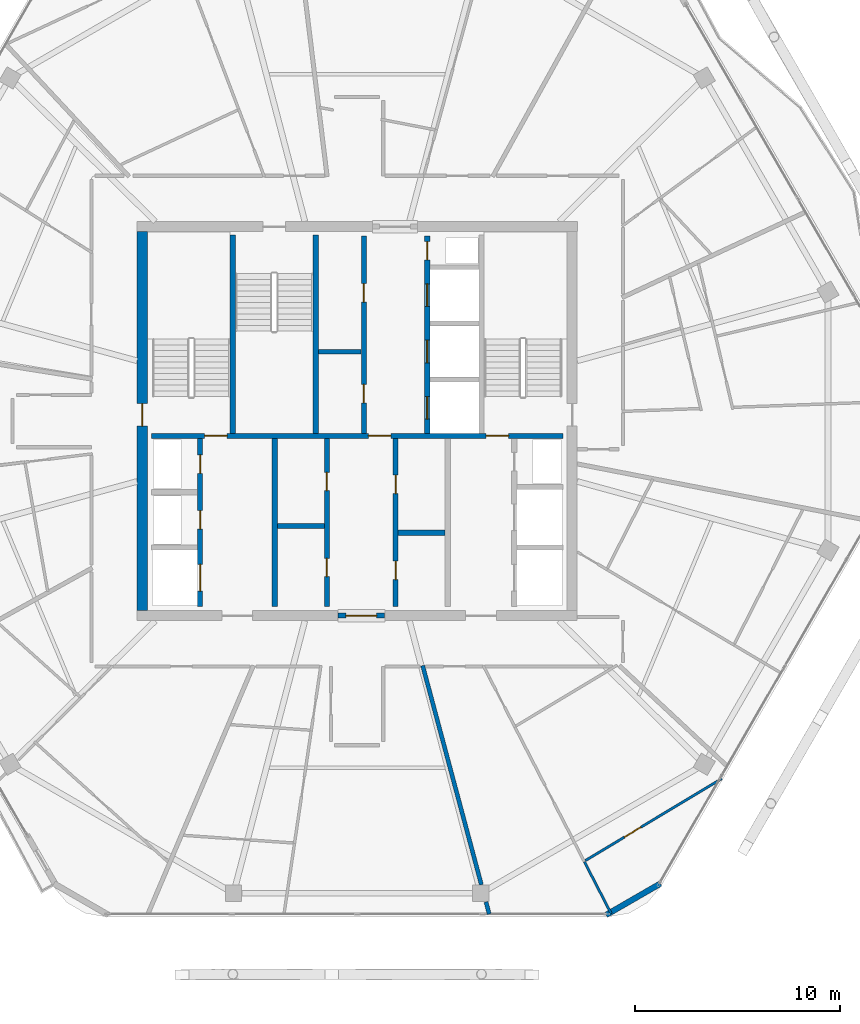
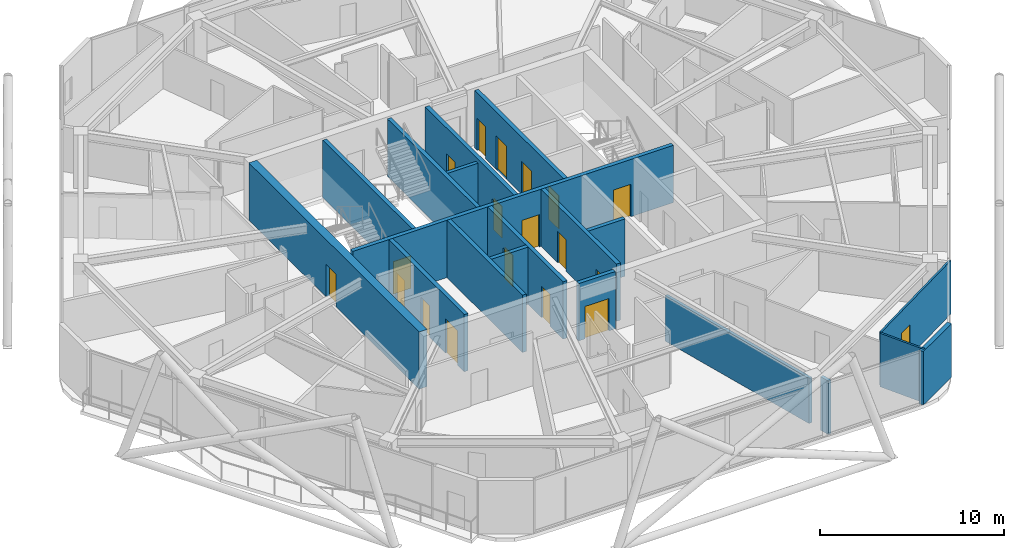
# One storey, part 17 of 23: 19 doors, 19 walls, 19 openings.
"""IFC4 building model written with IfcOpenShell, lengths in metres."""

import ifcopenshell
import ifcopenshell.guid

model = None  # the IFC model being written
_history = None  # IfcOwnerHistory: only IFC2X3 demands one
_inside = {}  # id of a spatial element -> (the spatial element, [elements in it])
_under = {}  # id of a project, library or spatial element -> (it, [spatial elements below it])
_declared = {}  # id of a project -> (the project, [libraries it declares])
_typed = {}  # id of a type object -> (the type object, [elements of that type])
_made_of = {}  # id of a material, layer set ... -> (it, [elements and type objects made of it])


def new_model(schema):
    """Start an empty IFC model of exactly this schema.

    Asked for "IFC4X3", IfcOpenShell would pick the latest addendum, in which some entities
    have other attributes; the version numbers below select the first issue.
    IFC2X3 requires an IfcOwnerHistory on every rooted entity: one is made here for all.
    """
    global model, _history
    if schema == "IFC4X3":
        model = ifcopenshell.file(schema_version=(4, 3, 0, 0))
    else:
        model = ifcopenshell.file(schema=schema)
    _inside.clear()
    _under.clear()
    _declared.clear()
    _typed.clear()
    _made_of.clear()
    _history = None
    if model.schema == "IFC2X3":
        org = make("IfcOrganization", Name="unknown")
        user = make(
            "IfcPersonAndOrganization",
            ThePerson=make("IfcPerson", FamilyName="unknown"),
            TheOrganization=org,
        )
        app = make(
            "IfcApplication",
            ApplicationDeveloper=org,
            Version="unknown",
            ApplicationFullName="unknown",
            ApplicationIdentifier="unknown",
        )
        _history = make(
            "IfcOwnerHistory",
            OwningUser=user,
            OwningApplication=app,
            ChangeAction="ADDED",
            CreationDate=0,
        )
    return model


def make(cls, **values):
    """One entity of the class cls with the attributes given. An attribute that is None is left unset."""
    return model.create_entity(
        cls, **{name: value for name, value in values.items() if value is not None}
    )


def rooted(cls, **values):
    """An entity with a GlobalId (a new one), such as an element, a storey or a relation."""
    return make(cls, GlobalId=ifcopenshell.guid.new(), OwnerHistory=_history, **values)


def si_unit(unit_type, name, prefix=None):
    """IfcSIUnit, for example si_unit("LENGTHUNIT", "METRE", prefix="MILLI")."""
    return make("IfcSIUnit", UnitType=unit_type, Prefix=prefix, Name=name)


def assignment(units):
    """IfcUnitAssignment: the units of a project."""
    return None if units is None else make("IfcUnitAssignment", Units=units)


def point(xyz):
    """IfcCartesianPoint."""
    return None if xyz is None else make("IfcCartesianPoint", Coordinates=xyz)


def direction(xyz):
    """IfcDirection."""
    return None if xyz is None else make("IfcDirection", DirectionRatios=xyz)


def frame(location, z_axis=None, x_axis=None):
    """IfcAxis2Placement3D, a coordinate frame: its origin and axes. An axis left out is left unset."""
    return make(
        "IfcAxis2Placement3D",
        Location=point(location),
        Axis=direction(z_axis),
        RefDirection=direction(x_axis),
    )


def frame_2d(location, x_axis=None):
    """IfcAxis2Placement2D, a coordinate frame in the plane: its origin and x axis."""
    return make(
        "IfcAxis2Placement2D", Location=point(location), RefDirection=direction(x_axis)
    )


def origin():
    """The frame at (0, 0, 0) with its axes left unset."""
    return frame((0.0, 0.0, 0.0))


def place(relative_to, where):
    """IfcLocalPlacement: puts the frame where relative to a parent placement (None: the world)."""
    return make(
        "IfcLocalPlacement", PlacementRelTo=relative_to, RelativePlacement=where
    )


def context(
    kind, dimensions, precision=None, world=None, true_north=None, identifier=None
):
    """IfcGeometricRepresentationContext, for example the 3D "Model" context."""
    return make(
        "IfcGeometricRepresentationContext",
        ContextIdentifier=identifier,
        ContextType=kind,
        CoordinateSpaceDimension=dimensions,
        Precision=precision,
        WorldCoordinateSystem=world,
        TrueNorth=true_north,
    )


def subcontext(parent, identifier, kind, view, scale=None):
    """IfcGeometricRepresentationSubContext, for example "Body" below "Model"."""
    return make(
        "IfcGeometricRepresentationSubContext",
        ContextIdentifier=identifier,
        ContextType=kind,
        ParentContext=parent,
        TargetScale=scale,
        TargetView=view,
    )


def project(units=None, contexts=None):
    """IfcProject with its units and contexts."""
    return rooted(
        "IfcProject",
        Name="project",
        RepresentationContexts=contexts,
        UnitsInContext=assignment(units),
    )


def spatial(cls, under=None, at=None, **own):
    """A site, building, storey or space (cls), placed at a placement, below another one or the project."""
    s = rooted(cls, ObjectPlacement=at, **own)
    if under is not None:
        _under.setdefault(under.id(), (under, []))[1].append(s)
    return s


def profile(cls, at=None, kind="AREA", **sizes):
    """A parametric profile (cls). Its sizes go by their IFC names, for example OverallWidth=200.0."""
    return make(cls, ProfileType=kind, Position=at, **sizes)


def rectangle(**sizes):
    """IfcRectangleProfileDef."""
    return profile("IfcRectangleProfileDef", **sizes)


def extrude(swept, where, along, depth):
    """IfcExtrudedAreaSolid: the profile swept, set in the frame where, extruded along a direction by depth."""
    return make(
        "IfcExtrudedAreaSolid",
        SweptArea=swept,
        Position=where,
        ExtrudedDirection=direction(along),
        Depth=depth,
    )


def shape(context_of_items, identifier, shape_type, items):
    """IfcShapeRepresentation: the items that make up one representation, for example the "Body"."""
    return make(
        "IfcShapeRepresentation",
        ContextOfItems=context_of_items,
        RepresentationIdentifier=identifier,
        RepresentationType=shape_type,
        Items=items,
    )


def material(Name=None, Category=None):
    """IfcMaterial."""
    return make("IfcMaterial", Name=Name, Category=Category)


def layer(
    of_material, thickness, ventilated=None, Name=None, Category=None, Priority=None
):
    """IfcMaterialLayer: one layer of a wall or slab, of a material (None: an air gap)."""
    return make(
        "IfcMaterialLayer",
        Material=of_material,
        LayerThickness=thickness,
        IsVentilated=ventilated,
        Name=Name,
        Category=Category,
        Priority=Priority,
    )


def layer_set(layers, Name=None):
    """IfcMaterialLayerSet."""
    return make("IfcMaterialLayerSet", MaterialLayers=layers, LayerSetName=Name)


def made_of(thing, what):
    """Note that an element or type object is made of a material, layer set ...; save() writes the relation."""
    if what is not None:
        _made_of.setdefault(what.id(), (what, []))[1].append(thing)
    return thing


def type_object(cls, material=None, **own):
    """A type object (cls), such as IfcWallType, which elements share."""
    return made_of(rooted(cls, **own), material)


def element(
    cls,
    number,
    at=None,
    inside=None,
    cuts=None,
    type_object=None,
    material=None,
    context=None,
    identifier="Body",
    shape_type=None,
    held_by="IfcProductDefinitionShape",
    body=None,
    shapes=None,
    **own,
):
    """One element of the class cls, such as IfcWall. Its Tag is "e" and its number.

    at: its placement. inside: the storey or other place that contains it. cuts: it is an
    opening in that element (IfcRelVoidsElement). A single representation is given by context,
    identifier, shape_type and body (its items); several are given by shapes. held_by: the class
    of the entity that holds the representations. save() writes the other relations.
    """
    e = rooted(cls, Tag="e%d" % number, ObjectPlacement=at, **own)
    if body is not None:
        shapes = [shape(context, identifier, shape_type, body)]
    if shapes is not None:
        e.Representation = make(held_by, Representations=shapes)
    if inside is not None:
        _inside.setdefault(inside.id(), (inside, []))[1].append(e)
    if cuts is not None:
        rooted(
            "IfcRelVoidsElement", RelatingBuildingElement=cuts, RelatedOpeningElement=e
        )
    if type_object is not None:
        _typed.setdefault(type_object.id(), (type_object, []))[1].append(e)
    return made_of(e, material)


def fill(opening, filler):
    """IfcRelFillsElement: the door or window that sits in an opening."""
    return rooted(
        "IfcRelFillsElement",
        RelatingOpeningElement=opening,
        RelatedBuildingElement=filler,
    )


def aggregate(whole, parts):
    """IfcRelAggregates: a whole, such as a stair, and the parts it consists of."""
    return rooted("IfcRelAggregates", RelatingObject=whole, RelatedObjects=parts)


def save(model, path):
    """Write the relations noted so far, then the file.

    IfcRelAggregates (storeys below a building ...), IfcRelContainedInSpatialStructure (elements
    in a storey), IfcRelDefinesByType, IfcRelAssociatesMaterial and IfcRelDeclares: one each for
    every whole, place, type object, material and project.
    """
    for whole, parts in _under.values():
        aggregate(whole, parts)
    for where, things in _inside.values():
        rooted(
            "IfcRelContainedInSpatialStructure",
            RelatedElements=things,
            RelatingStructure=where,
        )
    for kind, things in _typed.values():
        rooted("IfcRelDefinesByType", RelatedObjects=things, RelatingType=kind)
    for what, things in _made_of.values():
        rooted("IfcRelAssociatesMaterial", RelatedObjects=things, RelatingMaterial=what)
    for by, libraries in _declared.values():
        rooted("IfcRelDeclares", RelatingContext=by, RelatedDefinitions=libraries)
    model.write(path)


model = new_model("IFC4")

# Units and contexts
model_context = context("Model", 3, precision=1e-05, world=origin(), true_north=direction((0.0, 1.0)))
body_context = subcontext(model_context, "Body", "Model", "MODEL_VIEW")
ifc_project = project(units=[si_unit("LENGTHUNIT", "METRE"), si_unit("AREAUNIT", "SQUARE_METRE"), si_unit("VOLUMEUNIT", "CUBIC_METRE"), si_unit("PLANEANGLEUNIT", "RADIAN"), si_unit("MASSUNIT", "GRAM", prefix="KILO")], contexts=[model_context])

# Site, building, storey
site_placement = place(None, origin())
site = spatial("IfcSite", under=ifc_project, at=site_placement, CompositionType="ELEMENT")
building_placement = place(site_placement, origin())
building = spatial("IfcBuilding", under=site, at=building_placement, Name="Zuhravey Tower", CompositionType="ELEMENT")
storey_placement = place(building_placement, frame((0.0, 0.0, 331.0)))
storey = spatial("IfcBuildingStorey", under=building, at=storey_placement, Name="L84", CompositionType="ELEMENT", Elevation=331.0)

# Wall, opening, door
ifc_material_1 = material(Name="Concrete C50/60", Category="concrete")
ifc_layer_1 = layer(ifc_material_1, 0.5)
ifc_layer_set_1 = layer_set([ifc_layer_1], Name="Concrete C50/60")
wall_type_1 = type_object("IfcWallType", Name="Core Shear Wall 500", PredefinedType="SHEAR", material=ifc_layer_set_1)
wall_1_placement = place(storey_placement, frame((25.5, 22.75, 0.0), z_axis=(0.0, 0.0, 1.0), x_axis=(0.0, 1.0, 0.0)))
wall_1 = element("IfcWall", 1, at=wall_1_placement, inside=storey, type_object=wall_type_1, Name="L84 West Core Shear Wall CW50", PredefinedType="SHEAR", context=body_context, shape_type="SweptSolid", body=[
    extrude(rectangle(XDim=18.5, YDim=0.5, at=frame_2d((9.25, 0.0))), origin(), (0.0, 0.0, 1.0), 3.800048828125),
])
opening_1_placement = place(wall_1_placement, frame((9.0, 0.0, 0.0)))
opening_1 = element("IfcOpeningElement", 2, at=opening_1_placement, cuts=wall_1, Name="Opening STD1", PredefinedType="OPENING", context=body_context, shape_type="SweptSolid", body=[
    extrude(rectangle(XDim=1.10009765625, YDim=2.14990234375, at=frame_2d((0.550048828125, 1.074951171875))), frame((0.0, 0.261962890625, 0.0), z_axis=(0.0, -1.0, 0.0), x_axis=(1.0, 0.0, 0.0)), (0.0, 0.0, 1.0), 0.52392578125),
])
ifc_material_2 = material(Name="Galvanised fire-rated steel leaf", Category="steel")
door_type_1 = type_object("IfcDoorType", Name="Protected Stair Fire Door 1100x2150", OperationType="NOTDEFINED", PredefinedType="USERDEFINED", material=ifc_material_2)
door_1_placement = place(opening_1_placement, frame((1.10009765625, 0.0, 0.0), z_axis=(0.0, 0.0, 1.0), x_axis=(-1.0, 0.0, 0.0)))
door_1 = element("IfcDoor", 3, at=door_1_placement, inside=storey, type_object=door_type_1, Name="L84 Stair ST1 Door", ObjectType="EXITDOOR", OperationType="SINGLE_SWING_LEFT", OverallHeight=2.14990234375, OverallWidth=1.10009765625, PredefinedType="USERDEFINED", context=body_context, shape_type="SweptSolid", body=[
    extrude(rectangle(XDim=1.10009765625, YDim=2.14990234375, at=frame_2d((0.550048828125, 1.074951171875))), frame((0.0, 0.02490234375, 0.0), z_axis=(0.0, -1.0, 0.0), x_axis=(1.0, 0.0, 0.0)), (0.0, 0.0, 1.0), 0.050048828125),
])
fill(opening_1, door_1)

# Wall
ifc_material_3 = material(Name="Precast concrete C40/50", Category="concrete")
ifc_layer_2 = layer(ifc_material_3, 0.280029296875)
ifc_layer_set_2 = layer_set([ifc_layer_2], Name="Precast concrete C40/50")
wall_type_2 = type_object("IfcWallType", Name="Crown Architectural Wall 280", PredefinedType="SOLIDWALL", material=ifc_layer_set_2)
wall_2_placement = place(storey_placement, frame((50.811279296875, 9.410888671875, 0.0), z_axis=(0.0, 0.0, 1.0), x_axis=(-0.866023752521, -0.50000286006, 0.0)))
element("IfcWall", 4, at=wall_2_placement, inside=storey, type_object=wall_type_2, Name="L84 Rounded Corner Closure Wall EW28-02", PredefinedType="SOLIDWALL", context=body_context, shape_type="SweptSolid", body=[
    extrude(rectangle(XDim=3.06494140625, YDim=0.280029296875, at=frame_2d((1.532470703125, 0.0))), origin(), (0.0, 0.0, 1.0), 3.550048828125),
])

# Wall, opening, door
ifc_layer_3 = layer(ifc_material_1, 0.25)
ifc_layer_set_3 = layer_set([ifc_layer_3], Name="Concrete C50/60")
wall_type_3 = type_object("IfcWallType", Name="Firefighting Shaft & Stair Wall 250", PredefinedType="SOLIDWALL", material=ifc_layer_set_3)
wall_3_placement = place(storey_placement, frame((35.06005859375, 22.5, 0.0), z_axis=(0.0, 0.0, 1.0), x_axis=(1.0, 0.0, 0.0)))
wall_3 = element("IfcWall", 5, at=wall_3_placement, inside=storey, type_object=wall_type_3, Name="L84 FW25 Shaft Wall 001", PredefinedType="SOLIDWALL", context=body_context, shape_type="SweptSolid", body=[
    extrude(rectangle(XDim=2.280029296875, YDim=0.25, at=frame_2d((1.14013671875, 0.0))), origin(), (0.0, 0.0, 1.0), 3.800048828125),
])
opening_2_placement = place(wall_3_placement, frame((0.389892578125, 0.0, 0.0)))
opening_2 = element("IfcOpeningElement", 6, at=opening_2_placement, cuts=wall_3, Name="Opening FFD1", PredefinedType="OPENING", context=body_context, shape_type="SweptSolid", body=[
    extrude(rectangle(XDim=1.5, YDim=2.14990234375, at=frame_2d((0.75, 1.074951171875))), frame((0.0, 0.136962890625, 0.0), z_axis=(0.0, -1.0, 0.0), x_axis=(1.0, 0.0, 0.0)), (0.0, 0.0, 1.0), 0.27392578125),
])
door_type_2 = type_object("IfcDoorType", Name="Firefighting Lobby Double Door 1500x2150", OperationType="DOUBLE_DOOR_SINGLE_SWING", PredefinedType="DOOR", material=ifc_material_2)
door_2_placement = place(opening_2_placement, frame((1.5, 0.0, 0.0), z_axis=(0.0, 0.0, 1.0), x_axis=(-1.0, 0.0, 0.0)))
door_2 = element("IfcDoor", 7, at=door_2_placement, inside=storey, type_object=door_type_2, Name="L84 South Lift Lobby Exit Door", OperationType="DOUBLE_DOOR_SINGLE_SWING", OverallHeight=2.14990234375, OverallWidth=1.5, PredefinedType="DOOR", context=body_context, shape_type="SweptSolid", body=[
    extrude(rectangle(XDim=1.5, YDim=2.14990234375, at=frame_2d((0.75, 1.074951171875))), frame((0.0, 0.02490234375, 0.0), z_axis=(0.0, -1.0, 0.0), x_axis=(1.0, 0.0, 0.0)), (0.0, 0.0, 1.0), 0.050048828125),
])
fill(opening_2, door_2)

# Wall, openings, doors
wall_4_placement = place(storey_placement, frame((25.949951171875, 31.27490234375, 0.0), z_axis=(0.0, 0.0, 1.0), x_axis=(1.0, 0.0, 0.0)))
wall_4 = element("IfcWall", 8, at=wall_4_placement, inside=storey, type_object=wall_type_3, Name="L84 FW25 Shaft Wall 003", PredefinedType="SOLIDWALL", context=body_context, shape_type="SweptSolid", body=[
    extrude(rectangle(XDim=20.10009765625, YDim=0.25, at=frame_2d((10.050048828125, 0.0))), origin(), (0.0, 0.0, 1.0), 3.800048828125),
])
opening_3_placement = place(wall_4_placement, frame((2.60009765625, 0.0, 0.0)))
opening_3 = element("IfcOpeningElement", 9, at=opening_3_placement, cuts=wall_4, Name="Opening STD1", PredefinedType="OPENING", context=body_context, shape_type="SweptSolid", body=[
    extrude(rectangle(XDim=1.10009765625, YDim=2.14990234375, at=frame_2d((0.550048828125, 1.074951171875))), frame((0.0, 0.136962890625, 0.0), z_axis=(0.0, -1.0, 0.0), x_axis=(1.0, 0.0, 0.0)), (0.0, 0.0, 1.0), 0.27392578125),
])
opening_4_placement = place(wall_4_placement, frame((10.60009765625, 0.0, 0.0)))
opening_4 = element("IfcOpeningElement", 10, at=opening_4_placement, cuts=wall_4, Name="Opening STD1", PredefinedType="OPENING", context=body_context, shape_type="SweptSolid", body=[
    extrude(rectangle(XDim=1.10009765625, YDim=2.14990234375, at=frame_2d((0.550048828125, 1.074951171875))), frame((0.0, 0.136962890625, 0.0), z_axis=(0.0, -1.0, 0.0), x_axis=(1.0, 0.0, 0.0)), (0.0, 0.0, 1.0), 0.27392578125),
])
opening_5_placement = place(wall_4_placement, frame((16.35009765625, 0.0, 0.0)))
opening_5 = element("IfcOpeningElement", 11, at=opening_5_placement, cuts=wall_4, Name="Opening STD1", PredefinedType="OPENING", context=body_context, shape_type="SweptSolid", body=[
    extrude(rectangle(XDim=1.10009765625, YDim=2.14990234375, at=frame_2d((0.550048828125, 1.074951171875))), frame((0.0, 0.136962890625, 0.0), z_axis=(0.0, -1.0, 0.0), x_axis=(1.0, 0.0, 0.0)), (0.0, 0.0, 1.0), 0.27392578125),
])
door_3_placement = place(opening_3_placement, origin())
door_3 = element("IfcDoor", 12, at=door_3_placement, inside=storey, type_object=door_type_1, Name="L84 FFL-W to ST1 Door", ObjectType="EXITDOOR", OperationType="SINGLE_SWING_RIGHT", OverallHeight=2.14990234375, OverallWidth=1.10009765625, PredefinedType="USERDEFINED", context=body_context, shape_type="SweptSolid", body=[
    extrude(rectangle(XDim=1.10009765625, YDim=2.14990234375, at=frame_2d((0.550048828125, 1.074951171875))), frame((0.0, 0.02490234375, 0.0), z_axis=(0.0, -1.0, 0.0), x_axis=(1.0, 0.0, 0.0)), (0.0, 0.0, 1.0), 0.050048828125),
])
fill(opening_3, door_3)
door_4_placement = place(opening_4_placement, origin())
door_4 = element("IfcDoor", 13, at=door_4_placement, inside=storey, type_object=door_type_1, Name="L84 Core Lobby Link Door", ObjectType="EXITDOOR", OperationType="SINGLE_SWING_LEFT", OverallHeight=2.14990234375, OverallWidth=1.10009765625, PredefinedType="USERDEFINED", context=body_context, shape_type="SweptSolid", body=[
    extrude(rectangle(XDim=1.10009765625, YDim=2.14990234375, at=frame_2d((0.550048828125, 1.074951171875))), frame((0.0, 0.02490234375, 0.0), z_axis=(0.0, -1.0, 0.0), x_axis=(1.0, 0.0, 0.0)), (0.0, 0.0, 1.0), 0.050048828125),
])
fill(opening_4, door_4)
door_5_placement = place(opening_5_placement, origin())
door_5 = element("IfcDoor", 14, at=door_5_placement, inside=storey, type_object=door_type_1, Name="L84 FFL-E to ST2 Door", ObjectType="EXITDOOR", OperationType="SINGLE_SWING_RIGHT", OverallHeight=2.14990234375, OverallWidth=1.10009765625, PredefinedType="USERDEFINED", context=body_context, shape_type="SweptSolid", body=[
    extrude(rectangle(XDim=1.10009765625, YDim=2.14990234375, at=frame_2d((0.550048828125, 1.074951171875))), frame((0.0, 0.02490234375, 0.0), z_axis=(0.0, -1.0, 0.0), x_axis=(1.0, 0.0, 0.0)), (0.0, 0.0, 1.0), 0.050048828125),
])
fill(opening_5, door_5)

# Walls
for number, where, z_axis, x_axis, name in (
    (15, (29.925048828125, 31.39990234375, 0.0), (0.0, 0.0, 1.0), (0.0, 1.0, 0.0), "L84 FW25 Shaft Wall 004"),
    (16, (33.97509765625, 31.39990234375, 0.0), (0.0, 0.0, 1.0), (0.0, 1.0, 0.0), "L84 FW25 Shaft Wall 005"),
):
    element("IfcWall", number, at=place(storey_placement, frame(where, z_axis=z_axis, x_axis=x_axis)), inside=storey, type_object=wall_type_3, Name=name, PredefinedType="SOLIDWALL", context=body_context, shape_type="SweptSolid", body=[
        extrude(rectangle(XDim=9.7001953125, YDim=0.25, at=frame_2d((4.85009765625, 0.0))), origin(), (0.0, 0.0, 1.0), 3.800048828125),
    ])

# Wall, openings, doors
wall_5_placement = place(storey_placement, frame((36.324951171875, 31.39990234375, 0.0), z_axis=(0.0, 0.0, 1.0), x_axis=(0.0, 1.0, 0.0)))
wall_5 = element("IfcWall", 17, at=wall_5_placement, inside=storey, type_object=wall_type_3, Name="L84 FW25 Shaft Wall 007", PredefinedType="SOLIDWALL", context=body_context, shape_type="SweptSolid", body=[
    extrude(rectangle(XDim=9.650146484375, YDim=0.25, at=frame_2d((4.8251953125, 0.0))), origin(), (0.0, 0.0, 1.0), 3.800048828125),
])
opening_6_placement = place(wall_5_placement, frame((1.489990234375, 0.0, 0.0)))
opening_6 = element("IfcOpeningElement", 18, at=opening_6_placement, cuts=wall_5, Name="Opening RSD1", PredefinedType="OPENING", context=body_context, shape_type="SweptSolid", body=[
    extrude(rectangle(XDim=0.89990234375, YDim=2.10009765625, at=frame_2d((0.449951171875, 1.050048828125))), frame((0.0, 0.136962890625, 0.0), z_axis=(0.0, -1.0, 0.0), x_axis=(1.0, 0.0, 0.0)), (0.0, 0.0, 1.0), 0.27392578125),
])
opening_7_placement = place(wall_5_placement, frame((6.409912109375, 0.0, 0.0)))
opening_7 = element("IfcOpeningElement", 19, at=opening_7_placement, cuts=wall_5, Name="Opening RSD1", PredefinedType="OPENING", context=body_context, shape_type="SweptSolid", body=[
    extrude(rectangle(XDim=0.89990234375, YDim=2.10009765625, at=frame_2d((0.449951171875, 1.050048828125))), frame((0.0, 0.136962890625, 0.0), z_axis=(0.0, -1.0, 0.0), x_axis=(1.0, 0.0, 0.0)), (0.0, 0.0, 1.0), 0.27392578125),
])
ifc_material_4 = material(Name="Galvanised fire-rated steel access leaf", Category="steel")
door_type_3 = type_object("IfcDoorType", Name="Riser & Shaft Access Fire Door 900x2100", OperationType="NOTDEFINED", PredefinedType="DOOR", material=ifc_material_4)
door_6_placement = place(opening_6_placement, origin())
door_6 = element("IfcDoor", 20, at=door_6_placement, inside=storey, type_object=door_type_3, Name="L84 Core Cleaner Store Door", OperationType="SINGLE_SWING_LEFT", OverallHeight=2.10009765625, OverallWidth=0.89990234375, PredefinedType="DOOR", context=body_context, shape_type="SweptSolid", body=[
    extrude(rectangle(XDim=0.89990234375, YDim=2.10009765625, at=frame_2d((0.449951171875, 1.050048828125))), frame((0.0, 0.02490234375, 0.0), z_axis=(0.0, -1.0, 0.0), x_axis=(1.0, 0.0, 0.0)), (0.0, 0.0, 1.0), 0.050048828125),
])
fill(opening_6, door_6)
door_7_placement = place(opening_7_placement, origin())
door_7 = element("IfcDoor", 21, at=door_7_placement, inside=storey, type_object=door_type_3, Name="L84 Core Pantry and Tea Room Door", OperationType="SINGLE_SWING_RIGHT", OverallHeight=2.10009765625, OverallWidth=0.89990234375, PredefinedType="DOOR", context=body_context, shape_type="SweptSolid", body=[
    extrude(rectangle(XDim=0.89990234375, YDim=2.10009765625, at=frame_2d((0.449951171875, 1.050048828125))), frame((0.0, 0.02490234375, 0.0), z_axis=(0.0, -1.0, 0.0), x_axis=(1.0, 0.0, 0.0)), (0.0, 0.0, 1.0), 0.050048828125),
])
fill(opening_7, door_7)

wall_6_placement = place(storey_placement, frame((39.425048828125, 31.39990234375, 0.0), z_axis=(0.0, 0.0, 1.0), x_axis=(0.0, 1.0, 0.0)))
wall_6 = element("IfcWall", 22, at=wall_6_placement, inside=storey, type_object=wall_type_3, Name="L84 FW25 Shaft Wall 008", PredefinedType="SOLIDWALL", context=body_context, shape_type="SweptSolid", body=[
    extrude(rectangle(XDim=9.650146484375, YDim=0.25, at=frame_2d((4.8251953125, 0.0))), origin(), (0.0, 0.0, 1.0), 3.800048828125),
])
opening_8_placement = place(wall_6_placement, frame((0.699951171875, 0.0, 0.0)))
opening_8 = element("IfcOpeningElement", 23, at=opening_8_placement, cuts=wall_6, Name="Opening LD1", PredefinedType="OPENING", context=body_context, shape_type="SweptSolid", body=[
    extrude(rectangle(XDim=1.10009765625, YDim=2.199951171875, at=frame_2d((0.550048828125, 1.10009765625))), frame((0.0, 0.136962890625, 0.0), z_axis=(0.0, -1.0, 0.0), x_axis=(1.0, 0.0, 0.0)), (0.0, 0.0, 1.0), 0.27392578125),
])
opening_9_placement = place(wall_6_placement, frame((3.449951171875, 0.0, 0.0)))
opening_9 = element("IfcOpeningElement", 24, at=opening_9_placement, cuts=wall_6, Name="Opening LD1", PredefinedType="OPENING", context=body_context, shape_type="SweptSolid", body=[
    extrude(rectangle(XDim=1.10009765625, YDim=2.199951171875, at=frame_2d((0.550048828125, 1.10009765625))), frame((0.0, 0.136962890625, 0.0), z_axis=(0.0, -1.0, 0.0), x_axis=(1.0, 0.0, 0.0)), (0.0, 0.0, 1.0), 0.27392578125),
])
opening_10_placement = place(wall_6_placement, frame((6.199951171875, 0.0, 0.0)))
opening_10 = element("IfcOpeningElement", 25, at=opening_10_placement, cuts=wall_6, Name="Opening LD1", PredefinedType="OPENING", context=body_context, shape_type="SweptSolid", body=[
    extrude(rectangle(XDim=1.10009765625, YDim=2.199951171875, at=frame_2d((0.550048828125, 1.10009765625))), frame((0.0, 0.136962890625, 0.0), z_axis=(0.0, -1.0, 0.0), x_axis=(1.0, 0.0, 0.0)), (0.0, 0.0, 1.0), 0.27392578125),
])
opening_11_placement = place(wall_6_placement, frame((8.469970703125, 0.0, 0.0)))
opening_11 = element("IfcOpeningElement", 26, at=opening_11_placement, cuts=wall_6, Name="Opening RSD1", PredefinedType="OPENING", context=body_context, shape_type="SweptSolid", body=[
    extrude(rectangle(XDim=0.89990234375, YDim=2.10009765625, at=frame_2d((0.449951171875, 1.050048828125))), frame((0.0, 0.136962890625, 0.0), z_axis=(0.0, -1.0, 0.0), x_axis=(1.0, 0.0, 0.0)), (0.0, 0.0, 1.0), 0.27392578125),
])
ifc_material_5 = material(Name="Brushed stainless steel", Category="steel")
door_type_4 = type_object("IfcDoorType", Name="Lift Landing Sliding Door 1100x2200", OperationType="DOUBLE_DOOR_SLIDING", PredefinedType="DOOR", material=ifc_material_5)
door_8_placement = place(opening_8_placement, origin())
door_8 = element("IfcDoor", 27, at=door_8_placement, inside=storey, type_object=door_type_4, Name="L84 Lift PL7 Landing Door", OperationType="DOUBLE_DOOR_SLIDING", OverallHeight=2.199951171875, OverallWidth=1.10009765625, PredefinedType="DOOR", context=body_context, shape_type="SweptSolid", body=[
    extrude(rectangle(XDim=1.10009765625, YDim=2.199951171875, at=frame_2d((0.550048828125, 1.10009765625))), frame((0.0, 0.02490234375, 0.0), z_axis=(0.0, -1.0, 0.0), x_axis=(1.0, 0.0, 0.0)), (0.0, 0.0, 1.0), 0.050048828125),
])
fill(opening_8, door_8)
door_9_placement = place(opening_9_placement, origin())
door_9 = element("IfcDoor", 28, at=door_9_placement, inside=storey, type_object=door_type_4, Name="L84 Lift PL8 Landing Door", OperationType="DOUBLE_DOOR_SLIDING", OverallHeight=2.199951171875, OverallWidth=1.10009765625, PredefinedType="DOOR", context=body_context, shape_type="SweptSolid", body=[
    extrude(rectangle(XDim=1.10009765625, YDim=2.199951171875, at=frame_2d((0.550048828125, 1.10009765625))), frame((0.0, 0.02490234375, 0.0), z_axis=(0.0, -1.0, 0.0), x_axis=(1.0, 0.0, 0.0)), (0.0, 0.0, 1.0), 0.050048828125),
])
fill(opening_9, door_9)
door_10_placement = place(opening_10_placement, origin())
door_10 = element("IfcDoor", 29, at=door_10_placement, inside=storey, type_object=door_type_4, Name="L84 Lift PL9 Landing Door", OperationType="DOUBLE_DOOR_SLIDING", OverallHeight=2.199951171875, OverallWidth=1.10009765625, PredefinedType="DOOR", context=body_context, shape_type="SweptSolid", body=[
    extrude(rectangle(XDim=1.10009765625, YDim=2.199951171875, at=frame_2d((0.550048828125, 1.10009765625))), frame((0.0, 0.02490234375, 0.0), z_axis=(0.0, -1.0, 0.0), x_axis=(1.0, 0.0, 0.0)), (0.0, 0.0, 1.0), 0.050048828125),
])
fill(opening_10, door_10)
door_11_placement = place(opening_11_placement, origin())
door_11 = element("IfcDoor", 30, at=door_11_placement, inside=storey, type_object=door_type_3, Name="L84 North Riser Door", OperationType="SINGLE_SWING_LEFT", OverallHeight=2.10009765625, OverallWidth=0.89990234375, PredefinedType="DOOR", context=body_context, shape_type="SweptSolid", body=[
    extrude(rectangle(XDim=0.89990234375, YDim=2.10009765625, at=frame_2d((0.449951171875, 1.050048828125))), frame((0.0, 0.02490234375, 0.0), z_axis=(0.0, -1.0, 0.0), x_axis=(1.0, 0.0, 0.0)), (0.0, 0.0, 1.0), 0.050048828125),
])
fill(opening_11, door_11)

wall_7_placement = place(storey_placement, frame((28.324951171875, 22.949951171875, 0.0), z_axis=(0.0, 0.0, 1.0), x_axis=(0.0, 1.0, 0.0)))
wall_7 = element("IfcWall", 31, at=wall_7_placement, inside=storey, type_object=wall_type_3, Name="L84 FW25 Shaft Wall 011", PredefinedType="SOLIDWALL", context=body_context, shape_type="SweptSolid", body=[
    extrude(rectangle(XDim=8.199951171875, YDim=0.25, at=frame_2d((4.10009765625, 0.0))), origin(), (0.0, 0.0, 1.0), 3.800048828125),
])
opening_12_placement = place(wall_7_placement, frame((0.75, 0.0, 0.0)))
opening_12 = element("IfcOpeningElement", 32, at=opening_12_placement, cuts=wall_7, Name="Opening LD2", PredefinedType="OPENING", context=body_context, shape_type="SweptSolid", body=[
    extrude(rectangle(XDim=1.300048828125, YDim=2.300048828125, at=frame_2d((0.64990234375, 1.14990234375))), frame((0.0, 0.136962890625, 0.0), z_axis=(0.0, -1.0, 0.0), x_axis=(1.0, 0.0, 0.0)), (0.0, 0.0, 1.0), 0.27392578125),
])
opening_13_placement = place(wall_7_placement, frame((3.780029296875, 0.0, 0.0)))
opening_13 = element("IfcOpeningElement", 33, at=opening_13_placement, cuts=wall_7, Name="Opening RSD1", PredefinedType="OPENING", context=body_context, shape_type="SweptSolid", body=[
    extrude(rectangle(XDim=0.89990234375, YDim=2.10009765625, at=frame_2d((0.449951171875, 1.050048828125))), frame((0.0, 0.136962890625, 0.0), z_axis=(0.0, -1.0, 0.0), x_axis=(1.0, 0.0, 0.0)), (0.0, 0.0, 1.0), 0.27392578125),
])
opening_14_placement = place(wall_7_placement, frame((6.5, 0.0, 0.0)))
opening_14 = element("IfcOpeningElement", 34, at=opening_14_placement, cuts=wall_7, Name="Opening RSD1", PredefinedType="OPENING", context=body_context, shape_type="SweptSolid", body=[
    extrude(rectangle(XDim=0.89990234375, YDim=2.10009765625, at=frame_2d((0.449951171875, 1.050048828125))), frame((0.0, 0.136962890625, 0.0), z_axis=(0.0, -1.0, 0.0), x_axis=(1.0, 0.0, 0.0)), (0.0, 0.0, 1.0), 0.27392578125),
])
door_type_5 = type_object("IfcDoorType", Name="Freight & Stretcher Lift Sliding Door 1300x2300", OperationType="DOUBLE_DOOR_SLIDING", PredefinedType="DOOR", material=ifc_material_5)
door_12_placement = place(opening_12_placement, frame((1.300048828125, 0.0, 0.0), z_axis=(0.0, 0.0, 1.0), x_axis=(-1.0, 0.0, 0.0)))
door_12 = element("IfcDoor", 35, at=door_12_placement, inside=storey, type_object=door_type_5, Name="L84 Lift FF1 Landing Door", OperationType="DOUBLE_DOOR_SLIDING", OverallHeight=2.300048828125, OverallWidth=1.300048828125, PredefinedType="DOOR", context=body_context, shape_type="SweptSolid", body=[
    extrude(rectangle(XDim=1.300048828125, YDim=2.300048828125, at=frame_2d((0.64990234375, 1.14990234375))), frame((0.0, 0.02490234375, 0.0), z_axis=(0.0, -1.0, 0.0), x_axis=(1.0, 0.0, 0.0)), (0.0, 0.0, 1.0), 0.050048828125),
])
fill(opening_12, door_12)
door_13_placement = place(opening_13_placement, frame((0.89990234375, 0.0, 0.0), z_axis=(0.0, 0.0, 1.0), x_axis=(-1.0, 0.0, 0.0)))
door_13 = element("IfcDoor", 36, at=door_13_placement, inside=storey, type_object=door_type_3, Name="L84 Electrical Riser Door", OperationType="SINGLE_SWING_RIGHT", OverallHeight=2.10009765625, OverallWidth=0.89990234375, PredefinedType="DOOR", context=body_context, shape_type="SweptSolid", body=[
    extrude(rectangle(XDim=0.89990234375, YDim=2.10009765625, at=frame_2d((0.449951171875, 1.050048828125))), frame((0.0, 0.02490234375, 0.0), z_axis=(0.0, -1.0, 0.0), x_axis=(1.0, 0.0, 0.0)), (0.0, 0.0, 1.0), 0.050048828125),
])
fill(opening_13, door_13)
door_14_placement = place(opening_14_placement, frame((0.89990234375, 0.0, 0.0), z_axis=(0.0, 0.0, 1.0), x_axis=(-1.0, 0.0, 0.0)))
door_14 = element("IfcDoor", 37, at=door_14_placement, inside=storey, type_object=door_type_3, Name="L84 Smoke Shaft Access Door", OperationType="SINGLE_SWING_LEFT", OverallHeight=2.10009765625, OverallWidth=0.89990234375, PredefinedType="DOOR", context=body_context, shape_type="SweptSolid", body=[
    extrude(rectangle(XDim=0.89990234375, YDim=2.10009765625, at=frame_2d((0.449951171875, 1.050048828125))), frame((0.0, 0.02490234375, 0.0), z_axis=(0.0, -1.0, 0.0), x_axis=(1.0, 0.0, 0.0)), (0.0, 0.0, 1.0), 0.050048828125),
])
fill(opening_14, door_14)

# Walls
wall_8_placement = place(storey_placement, frame((31.97509765625, 22.949951171875, 0.0), z_axis=(0.0, 0.0, 1.0), x_axis=(0.0, 1.0, 0.0)))
element("IfcWall", 38, at=wall_8_placement, inside=storey, type_object=wall_type_3, Name="L84 FW25 Shaft Wall 012", PredefinedType="SOLIDWALL", context=body_context, shape_type="SweptSolid", body=[
    extrude(rectangle(XDim=8.199951171875, YDim=0.25, at=frame_2d((4.10009765625, 0.0))), origin(), (0.0, 0.0, 1.0), 3.800048828125),
])
wall_9_placement = place(storey_placement, frame((32.10009765625, 26.875, 0.0), z_axis=(0.0, 0.0, 1.0), x_axis=(1.0, 0.0, 0.0)))
element("IfcWall", 39, at=wall_9_placement, inside=storey, type_object=wall_type_3, Name="L84 FW25 Shaft Wall 013", PredefinedType="SOLIDWALL", context=body_context, shape_type="SweptSolid", body=[
    extrude(rectangle(XDim=2.2998046875, YDim=0.25, at=frame_2d((1.14990234375, 0.0))), origin(), (0.0, 0.0, 1.0), 3.800048828125),
])

# Wall, openings, doors
wall_10_placement = place(storey_placement, frame((34.52490234375, 22.949951171875, 0.0), z_axis=(0.0, 0.0, 1.0), x_axis=(0.0, 1.0, 0.0)))
wall_10 = element("IfcWall", 40, at=wall_10_placement, inside=storey, type_object=wall_type_3, Name="L84 FW25 Shaft Wall 014", PredefinedType="SOLIDWALL", context=body_context, shape_type="SweptSolid", body=[
    extrude(rectangle(XDim=8.199951171875, YDim=0.25, at=frame_2d((4.10009765625, 0.0))), origin(), (0.0, 0.0, 1.0), 3.800048828125),
])
opening_15_placement = place(wall_10_placement, frame((1.449951171875, 0.0, 0.0)))
opening_15 = element("IfcOpeningElement", 41, at=opening_15_placement, cuts=wall_10, Name="Opening RSD1", PredefinedType="OPENING", context=body_context, shape_type="SweptSolid", body=[
    extrude(rectangle(XDim=0.89990234375, YDim=2.10009765625, at=frame_2d((0.449951171875, 1.050048828125))), frame((0.0, 0.136962890625, 0.0), z_axis=(0.0, -1.0, 0.0), x_axis=(1.0, 0.0, 0.0)), (0.0, 0.0, 1.0), 0.27392578125),
])
opening_16_placement = place(wall_10_placement, frame((5.64990234375, 0.0, 0.0)))
opening_16 = element("IfcOpeningElement", 42, at=opening_16_placement, cuts=wall_10, Name="Opening RSD1", PredefinedType="OPENING", context=body_context, shape_type="SweptSolid", body=[
    extrude(rectangle(XDim=0.89990234375, YDim=2.10009765625, at=frame_2d((0.449951171875, 1.050048828125))), frame((0.0, 0.136962890625, 0.0), z_axis=(0.0, -1.0, 0.0), x_axis=(1.0, 0.0, 0.0)), (0.0, 0.0, 1.0), 0.27392578125),
])
door_15_placement = place(opening_15_placement, origin())
door_15 = element("IfcDoor", 43, at=door_15_placement, inside=storey, type_object=door_type_3, Name="L84 Housekeeping and Linen Room Door", OperationType="SINGLE_SWING_RIGHT", OverallHeight=2.10009765625, OverallWidth=0.89990234375, PredefinedType="DOOR", context=body_context, shape_type="SweptSolid", body=[
    extrude(rectangle(XDim=0.89990234375, YDim=2.10009765625, at=frame_2d((0.449951171875, 1.050048828125))), frame((0.0, 0.02490234375, 0.0), z_axis=(0.0, -1.0, 0.0), x_axis=(1.0, 0.0, 0.0)), (0.0, 0.0, 1.0), 0.050048828125),
])
fill(opening_15, door_15)
door_16_placement = place(opening_16_placement, origin())
door_16 = element("IfcDoor", 44, at=door_16_placement, inside=storey, type_object=door_type_3, Name="L84 Telecoms Switch Closet Door", OperationType="SINGLE_SWING_LEFT", OverallHeight=2.10009765625, OverallWidth=0.89990234375, PredefinedType="DOOR", context=body_context, shape_type="SweptSolid", body=[
    extrude(rectangle(XDim=0.89990234375, YDim=2.10009765625, at=frame_2d((0.449951171875, 1.050048828125))), frame((0.0, 0.02490234375, 0.0), z_axis=(0.0, -1.0, 0.0), x_axis=(1.0, 0.0, 0.0)), (0.0, 0.0, 1.0), 0.050048828125),
])
fill(opening_16, door_16)

# Wall
wall_11_placement = place(storey_placement, frame((38.0, 26.550048828125, 0.0), z_axis=(0.0, 0.0, 1.0), x_axis=(1.0, 0.0, 0.0)))
element("IfcWall", 45, at=wall_11_placement, inside=storey, type_object=wall_type_3, Name="L84 FW25 Shaft Wall 015", PredefinedType="SOLIDWALL", context=body_context, shape_type="SweptSolid", body=[
    extrude(rectangle(XDim=2.300048828125, YDim=0.25, at=frame_2d((1.14990234375, 0.0))), origin(), (0.0, 0.0, 1.0), 3.800048828125),
])

# Wall, openings, doors
wall_12_placement = place(storey_placement, frame((37.875, 22.949951171875, 0.0), z_axis=(0.0, 0.0, 1.0), x_axis=(0.0, 1.0, 0.0)))
wall_12 = element("IfcWall", 46, at=wall_12_placement, inside=storey, type_object=wall_type_3, Name="L84 FW25 Shaft Wall 016", PredefinedType="SOLIDWALL", context=body_context, shape_type="SweptSolid", body=[
    extrude(rectangle(XDim=8.199951171875, YDim=0.25, at=frame_2d((4.10009765625, 0.0))), origin(), (0.0, 0.0, 1.0), 3.800048828125),
])
opening_17_placement = place(wall_12_placement, frame((1.3125, 0.0, 0.0)))
opening_17 = element("IfcOpeningElement", 47, at=opening_17_placement, cuts=wall_12, Name="Opening RSD1", PredefinedType="OPENING", context=body_context, shape_type="SweptSolid", body=[
    extrude(rectangle(XDim=0.89990234375, YDim=2.10009765625, at=frame_2d((0.449951171875, 1.050048828125))), frame((0.0, 0.136962890625, 0.0), z_axis=(0.0, -1.0, 0.0), x_axis=(1.0, 0.0, 0.0)), (0.0, 0.0, 1.0), 0.27392578125),
])
opening_18_placement = place(wall_12_placement, frame((5.512451171875, 0.0, 0.0)))
opening_18 = element("IfcOpeningElement", 48, at=opening_18_placement, cuts=wall_12, Name="Opening RSD1", PredefinedType="OPENING", context=body_context, shape_type="SweptSolid", body=[
    extrude(rectangle(XDim=0.89990234375, YDim=2.10009765625, at=frame_2d((0.449951171875, 1.050048828125))), frame((0.0, 0.136962890625, 0.0), z_axis=(0.0, -1.0, 0.0), x_axis=(1.0, 0.0, 0.0)), (0.0, 0.0, 1.0), 0.27392578125),
])
door_17_placement = place(opening_17_placement, frame((0.89990234375, 0.0, 0.0), z_axis=(0.0, 0.0, 1.0), x_axis=(-1.0, 0.0, 0.0)))
door_17 = element("IfcDoor", 49, at=door_17_placement, inside=storey, type_object=door_type_3, Name="L84 Trunk Store Door", OperationType="SINGLE_SWING_RIGHT", OverallHeight=2.10009765625, OverallWidth=0.89990234375, PredefinedType="DOOR", context=body_context, shape_type="SweptSolid", body=[
    extrude(rectangle(XDim=0.89990234375, YDim=2.10009765625, at=frame_2d((0.449951171875, 1.050048828125))), frame((0.0, 0.02490234375, 0.0), z_axis=(0.0, -1.0, 0.0), x_axis=(1.0, 0.0, 0.0)), (0.0, 0.0, 1.0), 0.050048828125),
])
fill(opening_17, door_17)
door_18_placement = place(opening_18_placement, frame((0.89990234375, 0.0, 0.0), z_axis=(0.0, 0.0, 1.0), x_axis=(-1.0, 0.0, 0.0)))
door_18 = element("IfcDoor", 50, at=door_18_placement, inside=storey, type_object=door_type_3, Name="L84 Fiber Room Door", OperationType="SINGLE_SWING_LEFT", OverallHeight=2.10009765625, OverallWidth=0.89990234375, PredefinedType="DOOR", context=body_context, shape_type="SweptSolid", body=[
    extrude(rectangle(XDim=0.89990234375, YDim=2.10009765625, at=frame_2d((0.449951171875, 1.050048828125))), frame((0.0, 0.02490234375, 0.0), z_axis=(0.0, -1.0, 0.0), x_axis=(1.0, 0.0, 0.0)), (0.0, 0.0, 1.0), 0.050048828125),
])
fill(opening_18, door_18)

# Walls
ifc_material_6 = material(Name="Gypsum double-stud party assembly")
ifc_layer_4 = layer(ifc_material_6, 0.199951171875)
ifc_layer_set_4 = layer_set([ifc_layer_4], Name="Gypsum double-stud party assembly")
wall_type_4 = type_object("IfcWallType", Name="Inter-Tenancy Party Wall 200", PredefinedType="PARTITIONING", material=ifc_layer_set_4)
wall_13_placement = place(storey_placement, frame((39.19921875, 20.06005859375, 0.0), z_axis=(0.0, 0.0, 1.0), x_axis=(0.258819777011, -0.965925630174, 0.0)))
element("IfcWall", 51, at=wall_13_placement, inside=storey, type_object=wall_type_4, Name="L84 IW20 Partition 078", PredefinedType="PARTITIONING", context=body_context, shape_type="SweptSolid", body=[
    extrude(rectangle(XDim=11.081787109375, YDim=0.199951171875, at=frame_2d((5.541015625, 0.0))), origin(), (0.0, 0.0, 1.0), 3.0),
])
wall_14_placement = place(storey_placement, frame((42.29248046875, 8.515869140625, 0.0), z_axis=(0.0, 0.0, 1.0), x_axis=(0.258955805871, -0.965889170974, 0.0)))
element("IfcWall", 52, at=wall_14_placement, inside=storey, type_object=wall_type_4, Name="L84 IW20 Partition 079", PredefinedType="PARTITIONING", context=body_context, shape_type="SweptSolid", body=[
    extrude(rectangle(XDim=0.61083984375, YDim=0.199951171875, at=frame_2d((0.305419921875, 0.0))), origin(), (0.0, 0.0, 1.0), 3.550048828125),
])
ifc_material_7 = material(Name="Gypsum acoustic stud assembly")
ifc_layer_5 = layer(ifc_material_7, 0.219970703125)
ifc_layer_set_5 = layer_set([ifc_layer_5], Name="Gypsum acoustic stud assembly")
wall_type_5 = type_object("IfcWallType", Name="School Acoustic Compartment Wall 220", PredefinedType="PARTITIONING", material=ifc_layer_set_5)
wall_15_placement = place(storey_placement, frame((34.10791015625, 35.39990234375, 0.0), z_axis=(0.0, 0.0, 1.0), x_axis=(1.0, 0.0, 0.0)))
element("IfcWall", 53, at=wall_15_placement, inside=storey, type_object=wall_type_5, Name="L84 IW22 Partition 059", PredefinedType="PARTITIONING", context=body_context, shape_type="SweptSolid", body=[
    extrude(rectangle(XDim=2.083984375, YDim=0.219970703125, at=frame_2d((1.0419921875, 0.0))), origin(), (0.0, 0.0, 1.0), 3.550048828125),
])

# Wall, opening, door
ifc_material_8 = material(Name="Gypsum metal-stud partition")
ifc_layer_6 = layer(ifc_material_8, 0.1201171875)
ifc_layer_set_6 = layer_set([ifc_layer_6], Name="Gypsum metal-stud partition")
wall_type_6 = type_object("IfcWallType", Name="Unit Internal Partition 120", PredefinedType="PARTITIONING", material=ifc_layer_set_6)
wall_16_placement = place(storey_placement, frame((47.14599609375, 10.534912109375, 0.0), z_axis=(0.0, 0.0, 1.0), x_axis=(0.857151907368, 0.515063692853, 0.0)))
wall_16 = element("IfcWall", 54, at=wall_16_placement, inside=storey, type_object=wall_type_6, Name="L84 IW12 Partition 039", PredefinedType="PARTITIONING", context=body_context, shape_type="SweptSolid", body=[
    extrude(rectangle(XDim=7.774169921875, YDim=0.1201171875, at=frame_2d((3.88720703125, 0.0))), origin(), (0.0, 0.0, 1.0), 3.550048828125),
])
opening_19_placement = place(wall_16_placement, frame((2.227783203125, 0.0, 0.0)))
opening_19 = element("IfcOpeningElement", 55, at=opening_19_placement, cuts=wall_16, Name="Opening IND1", PredefinedType="OPENING", context=body_context, shape_type="SweptSolid", body=[
    extrude(rectangle(XDim=0.949951171875, YDim=2.10009765625, at=frame_2d((0.47509765625, 1.050048828125))), frame((0.0, 0.072021484375, 0.0), z_axis=(0.0, -1.0, 0.0), x_axis=(1.0, 0.0, 0.0)), (0.0, 0.0, 1.0), 0.14404296875),
])
ifc_material_9 = material(Name="Painted engineered timber leaf", Category="wood")
door_type_6 = type_object("IfcDoorType", Name="Internal Room & Bedroom Door 950x2100", OperationType="NOTDEFINED", PredefinedType="DOOR", material=ifc_material_9)
door_19_placement = place(opening_19_placement, frame((0.949951171875, 0.0, 0.0), z_axis=(0.0, 0.0, 1.0), x_axis=(-1.0, 0.0, 0.0)))
door_19 = element("IfcDoor", 56, at=door_19_placement, inside=storey, type_object=door_type_6, Name="Apartment L84-05 Kitchen Door", OperationType="SINGLE_SWING_RIGHT", OverallHeight=2.10009765625, OverallWidth=0.949951171875, PredefinedType="DOOR", context=body_context, shape_type="SweptSolid", body=[
    extrude(rectangle(XDim=0.949951171875, YDim=2.10009765625, at=frame_2d((0.47509765625, 1.050048828125))), frame((0.0, 0.02490234375, 0.0), z_axis=(0.0, -1.0, 0.0), x_axis=(1.0, 0.0, 0.0)), (0.0, 0.0, 1.0), 0.050048828125),
])
fill(opening_19, door_19)

# Wall
wall_17_placement = place(storey_placement, frame((47.09912109375, 10.477783203125, 0.0), z_axis=(0.0, 0.0, 1.0), x_axis=(0.458284902265, -0.888805348969, 0.0)))
element("IfcWall", 57, at=wall_17_placement, inside=storey, type_object=wall_type_6, Name="L84 IW12 Partition 081", PredefinedType="PARTITIONING", context=body_context, shape_type="SweptSolid", body=[
    extrude(rectangle(XDim=2.84912109375, YDim=0.1201171875, at=frame_2d((1.424560546875, 0.0))), origin(), (0.0, 0.0, 1.0), 3.550048828125),
])

save(model, "model.ifc")
